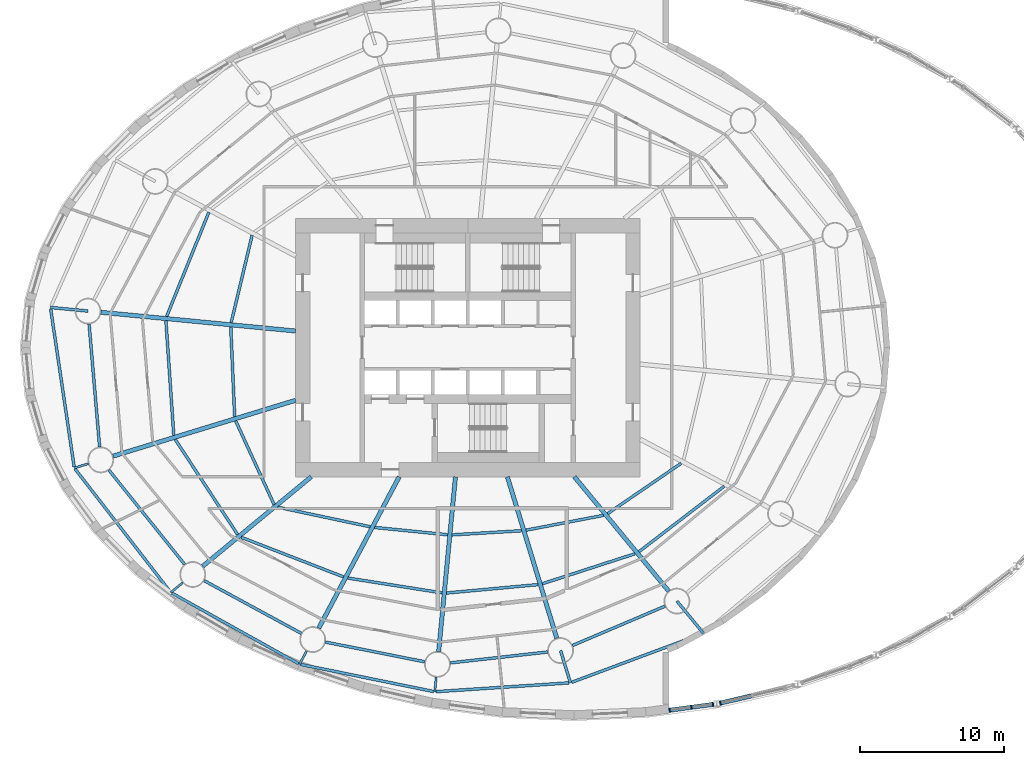
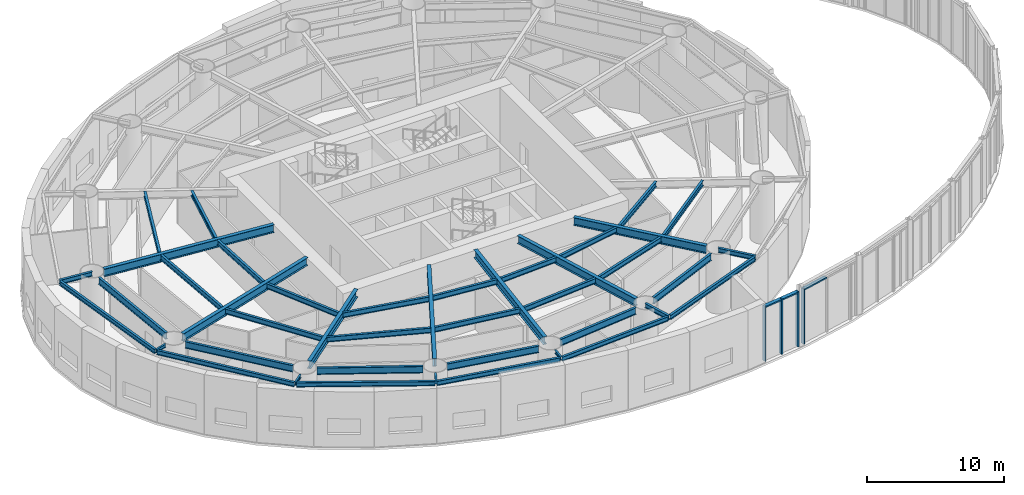
# One storey, part 4 of 19: 42 beams, 7 members, 2 elements without a shape of their own.
"""IFC4 building model written with IfcOpenShell, lengths in metres."""

from ifc_helpers import new_model, si_unit, direction, frame, origin, origin_2d, place, context, subcontext, project, spatial, rectangle, i_section, extrude, material, material_profile, profile_set, type_object, element, aggregate, save


model = new_model("IFC4")

# Units and contexts
model_context = context("Model", 3, precision=1e-05, world=origin(), true_north=direction((0.0, 1.0)))
body_context = subcontext(model_context, "Body", "Model", "MODEL_VIEW")
ifc_project = project(units=[si_unit("LENGTHUNIT", "METRE"), si_unit("AREAUNIT", "SQUARE_METRE"), si_unit("VOLUMEUNIT", "CUBIC_METRE"), si_unit("PLANEANGLEUNIT", "RADIAN"), si_unit("MASSUNIT", "GRAM", prefix="KILO")], contexts=[model_context])

# Site, building, storey
site_placement = place(None, origin())
site = spatial("IfcSite", under=ifc_project, at=site_placement, CompositionType="ELEMENT")
building_placement = place(site_placement, origin())
building = spatial("IfcBuilding", under=site, at=building_placement, Name="Vermilion Reach Broadcast Tower", CompositionType="ELEMENT")
storey_placement = place(building_placement, frame((0.0, 0.0, 26.0)))
storey = spatial("IfcBuildingStorey", under=building, at=storey_placement, Name="L03", CompositionType="ELEMENT", Elevation=26.0)

# Curtain wall, members
ifc_material_1 = material(Name="Low-e laminated clear glass in aluminium frame", Category="aluminium")
curtain_wall_type = type_object("IfcCurtainWallType", Name="Atrium outer wall curtain wall", PredefinedType="NOTDEFINED", material=ifc_material_1)
placement = place(storey_placement, origin())
curtain_wall_1 = element("IfcCurtainWall", 1, at=placement, inside=storey, type_object=curtain_wall_type, Name="Atrium wall L03 01", PredefinedType="NOTDEFINED")
ifc_material_2 = material(Name="Anodised aluminium", Category="aluminium")
ifc_material_profile_1 = material_profile(ifc_material_2, rectangle(XDim=0.300048828125, YDim=0.10009765625, at=origin_2d()), Name="Atrium outer wall mullion 100 x 300")
ifc_profile_set_1 = profile_set([ifc_material_profile_1], Name="Anodised aluminium")
member_type_1 = type_object("IfcMemberType", Name="Atrium outer wall mullion 100 x 300", PredefinedType="MULLION", material=ifc_profile_set_1)
member_1_placement = place(storey_placement, frame((8.062744140625, -25.257568359375, 0.0), z_axis=(0.0, 0.0, 1.0), x_axis=(-0.132793713723, 0.991143697753, 0.0)))
member_1 = element("IfcMember", 2, at=member_1_placement, type_object=member_type_1, Name="Atrium wall mullion L03 01.1", PredefinedType="MULLION", context=body_context, shape_type="SweptSolid", body=[
    extrude(rectangle(XDim=0.300048828125, YDim=0.10009765625, at=origin_2d()), origin(), (0.0, 0.0, 1.0), 4.909912109375),
])
member_2_placement = place(storey_placement, frame((9.569091796875, -25.055908203125, 0.0), z_axis=(0.0, 0.0, 1.0), x_axis=(-0.132793713723, 0.991143697753, 0.0)))
member_2 = element("IfcMember", 3, at=member_2_placement, type_object=member_type_1, Name="Atrium wall mullion L03 01.2", PredefinedType="MULLION", context=body_context, shape_type="SweptSolid", body=[
    extrude(rectangle(XDim=0.300048828125, YDim=0.10009765625, at=origin_2d()), origin(), (0.0, 0.0, 1.0), 4.909912109375),
])
member_3_placement = place(storey_placement, frame((11.075439453125, -24.85400390625, 0.0), z_axis=(0.0, 0.0, 1.0), x_axis=(-0.132793713723, 0.991143697753, 0.0)))
member_3 = element("IfcMember", 4, at=member_3_placement, type_object=member_type_1, Name="Atrium wall mullion L03 01.3", PredefinedType="MULLION", context=body_context, shape_type="SweptSolid", body=[
    extrude(rectangle(XDim=0.300048828125, YDim=0.10009765625, at=origin_2d()), origin(), (0.0, 0.0, 1.0), 4.909912109375),
])

# Curtain wall, member
curtain_wall_2 = element("IfcCurtainWall", 5, at=placement, inside=storey, type_object=curtain_wall_type, Name="Atrium wall L03 02", PredefinedType="NOTDEFINED")
member_4_placement = place(storey_placement, frame((11.594482421875, -24.760009765625, 0.0), z_axis=(0.0, 0.0, 1.0), x_axis=(-0.222891523278, 0.974843253478, 0.0)))
member_4 = element("IfcMember", 6, at=member_4_placement, type_object=member_type_1, Name="Atrium wall mullion L03 02.1", PredefinedType="MULLION", context=body_context, shape_type="SweptSolid", body=[
    extrude(rectangle(XDim=0.300048828125, YDim=0.10009765625, at=origin_2d()), origin(), (0.0, 0.0, 1.0), 4.909912109375),
])

# Member
ifc_material_3 = material(Name="Anodised aluminium", Category="aluminium")
ifc_material_profile_2 = material_profile(ifc_material_3, rectangle(XDim=0.300048828125, YDim=0.1201171875, at=origin_2d()), Name="Atrium outer wall transom 300 x 120")
ifc_profile_set_2 = profile_set([ifc_material_profile_2], Name="Anodised aluminium")
member_type_2 = type_object("IfcMemberType", Name="Atrium outer wall transom 300 x 120", PredefinedType="USERDEFINED", material=ifc_profile_set_2)
member_5_placement = place(storey_placement, frame((8.1123046875, -25.2509765625, 4.85009765625), z_axis=(0.991149634463, 0.132749395872, 0.0), x_axis=(-0.132749395872, 0.991149634463, 0.0)))
member_5 = element("IfcMember", 7, at=member_5_placement, type_object=member_type_2, Name="Atrium wall transom L03 01.1.2", ObjectType="TRANSOM", PredefinedType="USERDEFINED", context=body_context, shape_type="SweptSolid", body=[
    extrude(rectangle(XDim=0.300048828125, YDim=0.1201171875, at=origin_2d()), origin(), (0.0, 0.0, 1.0), 1.419677734375),
])

member_6_placement = place(storey_placement, frame((9.61865234375, -25.049072265625, 4.85009765625), z_axis=(0.991149634463, 0.132749395872, 0.0), x_axis=(-0.132749395872, 0.991149634463, 0.0)))
member_6 = element("IfcMember", 8, at=member_6_placement, type_object=member_type_2, Name="Atrium wall transom L03 01.2.2", ObjectType="TRANSOM", PredefinedType="USERDEFINED", context=body_context, shape_type="SweptSolid", body=[
    extrude(rectangle(XDim=0.300048828125, YDim=0.1201171875, at=origin_2d()), origin(), (0.0, 0.0, 1.0), 1.419677734375),
])

aggregate(curtain_wall_1, [member_1, member_2, member_3, member_5, member_6])

member_7_placement = place(storey_placement, frame((11.643310546875, -24.7490234375, 4.85009765625), z_axis=(0.97483071414, 0.222946358504, 0.0), x_axis=(-0.222946358504, 0.97483071414, 0.0)))
member_7 = element("IfcMember", 9, at=member_7_placement, type_object=member_type_2, Name="Atrium wall transom L03 02.1.2", ObjectType="TRANSOM", PredefinedType="USERDEFINED", context=body_context, shape_type="SweptSolid", body=[
    extrude(rectangle(XDim=0.300048828125, YDim=0.1201171875, at=origin_2d()), origin(), (0.0, 0.0, 1.0), 2.181396484375),
])

aggregate(curtain_wall_2, [member_4, member_7])

# Beams
ifc_material_4 = material(Name="Steel S355J2", Category="steel")
ifc_material_profile_3 = material_profile(ifc_material_4, i_section(OverallWidth=0.199951171875, OverallDepth=0.39990234375, WebThickness=0.008056640625, FlangeThickness=0.012939453125, at=origin_2d()), Name="S355J2 HN 400x200x8x13")
ifc_profile_set_3 = profile_set([ifc_material_profile_3], Name="Steel S355J2")
beam_type_1 = type_object("IfcBeamType", Name="EB1 HN 400x200x8x13", PredefinedType="BEAM", material=ifc_profile_set_3)
beam_1_placement = place(storey_placement, frame((-35.061279296875, 2.692626953125, 5.10009765625), z_axis=(0.147029010253, -0.98913218032, 0.0), x_axis=(0.98913218032, 0.147029010253, 0.0)))
element("IfcBeam", 10, at=beam_1_placement, inside=storey, type_object=beam_type_1, Name="Edge beam EB1-08", PredefinedType="BEAM", context=body_context, shape_type="SweptSolid", body=[
    extrude(i_section(OverallWidth=0.199951171875, OverallDepth=0.39990234375, WebThickness=0.008056640625, FlangeThickness=0.012939453125, at=origin_2d()), origin(), (0.0, 0.0, 1.0), 11.125244140625),
])
beam_2_placement = place(storey_placement, frame((-33.365234375, -8.449951171875, 5.10009765625), z_axis=(0.612374307057, -0.790567965488, 0.0), x_axis=(0.790567965488, 0.612374307057, 0.0)))
element("IfcBeam", 11, at=beam_2_placement, inside=storey, type_object=beam_type_1, Name="Edge beam EB1-09", PredefinedType="BEAM", context=body_context, shape_type="SweptSolid", body=[
    extrude(i_section(OverallWidth=0.199951171875, OverallDepth=0.39990234375, WebThickness=0.008056640625, FlangeThickness=0.012939453125, at=origin_2d()), origin(), (0.0, 0.0, 1.0), 10.821044921875),
])
beam_3_placement = place(storey_placement, frame((-26.62255859375, -17.10302734375, 5.10009765625), z_axis=(0.873686455295, -0.486489442674, 0.0), x_axis=(0.486489442674, 0.873686455295, 0.0)))
element("IfcBeam", 12, at=beam_3_placement, inside=storey, type_object=beam_type_1, Name="Edge beam EB1-10", PredefinedType="BEAM", context=body_context, shape_type="SweptSolid", body=[
    extrude(i_section(OverallWidth=0.199951171875, OverallDepth=0.39990234375, WebThickness=0.008056640625, FlangeThickness=0.012939453125, at=origin_2d()), origin(), (0.0, 0.0, 1.0), 10.110595703125),
])
beam_4_placement = place(storey_placement, frame((-17.64697265625, -22.07373046875, 5.10009765625), z_axis=(0.979888700242, -0.199544819871, 0.0), x_axis=(0.199544819871, 0.979888700242, 0.0)))
element("IfcBeam", 13, at=beam_4_placement, inside=storey, type_object=beam_type_1, Name="Edge beam EB1-11", PredefinedType="BEAM", context=body_context, shape_type="SweptSolid", body=[
    extrude(i_section(OverallWidth=0.199951171875, OverallDepth=0.39990234375, WebThickness=0.008056640625, FlangeThickness=0.012939453125, at=origin_2d()), origin(), (0.0, 0.0, 1.0), 9.458740234375),
])
beam_5_placement = place(storey_placement, frame((-8.228515625, -23.97119140625, 5.10009765625), z_axis=(0.997825669163, 0.065908527213, 0.0), x_axis=(-0.065908527213, 0.997825669163, 0.0)))
element("IfcBeam", 14, at=beam_5_placement, inside=storey, type_object=beam_type_1, Name="Edge beam EB1-12", PredefinedType="BEAM", context=body_context, shape_type="SweptSolid", body=[
    extrude(i_section(OverallWidth=0.199951171875, OverallDepth=0.39990234375, WebThickness=0.008056640625, FlangeThickness=0.012939453125, at=origin_2d()), origin(), (0.0, 0.0, 1.0), 9.290283203125),
])
beam_6_placement = place(storey_placement, frame((1.23779296875, -23.3173828125, 5.10009765625), z_axis=(0.9372716621, 0.348599815582, 0.0), x_axis=(-0.348599815582, 0.9372716621, 0.0)))
element("IfcBeam", 15, at=beam_6_placement, inside=storey, type_object=beam_type_1, Name="Edge beam EB1-13", PredefinedType="BEAM", context=body_context, shape_type="SweptSolid", body=[
    extrude(i_section(OverallWidth=0.199951171875, OverallDepth=0.39990234375, WebThickness=0.008056640625, FlangeThickness=0.012939453125, at=origin_2d()), origin(), (0.0, 0.0, 1.0), 9.684326171875),
])
ifc_material_5 = material(Name="Steel S355J2", Category="steel")
ifc_material_profile_4 = material_profile(ifc_material_5, i_section(OverallWidth=0.300048828125, OverallDepth=0.699951171875, WebThickness=0.012939453125, FlangeThickness=0.02392578125, at=origin_2d()), Name="S355J2 HN 700x300x13x24")
ifc_profile_set_4 = profile_set([ifc_material_profile_4], Name="Steel S355J2")
beam_type_2 = type_object("IfcBeamType", Name="G1 HN 700x300x13x24", PredefinedType="BEAM", material=ifc_profile_set_4)
beam_7_placement = place(storey_placement, frame((-18.0, 1.1533203125, 4.949951171875), z_axis=(-0.995412178872, 0.095679643363, 0.0), x_axis=(-0.095679643363, -0.995412178872, 0.0)))
element("IfcBeam", 16, at=beam_7_placement, inside=storey, type_object=beam_type_2, Name="Girder G1-08", PredefinedType="BEAM", context=body_context, shape_type="SweptSolid", body=[
    extrude(i_section(OverallWidth=0.300048828125, OverallDepth=0.699951171875, WebThickness=0.012939453125, FlangeThickness=0.02392578125, at=origin_2d()), origin(), (0.0, 0.0, 1.0), 13.630859375),
])
beam_8_placement = place(storey_placement, frame((-18.0, -3.671142578125, 4.949951171875), z_axis=(-0.956255735186, -0.292531996409, 0.0), x_axis=(0.292531996409, -0.956255735186, 0.0)))
element("IfcBeam", 17, at=beam_8_placement, inside=storey, type_object=beam_type_2, Name="Girder G1-09", PredefinedType="BEAM", context=body_context, shape_type="SweptSolid", body=[
    extrude(i_section(OverallWidth=0.300048828125, OverallDepth=0.699951171875, WebThickness=0.012939453125, FlangeThickness=0.02392578125, at=origin_2d()), origin(), (0.0, 0.0, 1.0), 13.29638671875),
])
beam_9_placement = place(storey_placement, frame((-16.9140625, -9.0, 4.949951171875), z_axis=(-0.771514256373, -0.636212034005, 0.0), x_axis=(0.636212034005, -0.771514256373, 0.0)))
element("IfcBeam", 18, at=beam_9_placement, inside=storey, type_object=beam_type_2, Name="Girder G1-10", PredefinedType="BEAM", context=body_context, shape_type="SweptSolid", body=[
    extrude(i_section(OverallWidth=0.300048828125, OverallDepth=0.699951171875, WebThickness=0.012939453125, FlangeThickness=0.02392578125, at=origin_2d()), origin(), (0.0, 0.0, 1.0), 9.796142578125),
])
beam_10_placement = place(storey_placement, frame((-10.783447265625, -9.0, 4.949951171875), z_axis=(-0.469312182262, -0.883032318537, 0.0), x_axis=(0.883032318537, -0.469312182262, 0.0)))
element("IfcBeam", 19, at=beam_10_placement, inside=storey, type_object=beam_type_2, Name="Girder G1-11", PredefinedType="BEAM", context=body_context, shape_type="SweptSolid", body=[
    extrude(i_section(OverallWidth=0.300048828125, OverallDepth=0.699951171875, WebThickness=0.012939453125, FlangeThickness=0.02392578125, at=origin_2d()), origin(), (0.0, 0.0, 1.0), 11.94091796875),
])
beam_11_placement = place(storey_placement, frame((-6.864990234375, -9.0, 4.949951171875), z_axis=(-0.09566673912, -0.995413419151, 0.0), x_axis=(0.995413419151, -0.09566673912, 0.0)))
element("IfcBeam", 20, at=beam_11_placement, inside=storey, type_object=beam_type_2, Name="Girder G1-12", PredefinedType="BEAM", context=body_context, shape_type="SweptSolid", body=[
    extrude(i_section(OverallWidth=0.300048828125, OverallDepth=0.699951171875, WebThickness=0.012939453125, FlangeThickness=0.02392578125, at=origin_2d()), origin(), (0.0, 0.0, 1.0), 12.22412109375),
])
beam_12_placement = place(storey_placement, frame((-3.246826171875, -9.0, 4.949951171875), z_axis=(0.292542302886, -0.95625258223, 0.0), x_axis=(0.95625258223, 0.292542302886, 0.0)))
element("IfcBeam", 21, at=beam_12_placement, inside=storey, type_object=beam_type_2, Name="Girder G1-13", PredefinedType="BEAM", context=body_context, shape_type="SweptSolid", body=[
    extrude(i_section(OverallWidth=0.300048828125, OverallDepth=0.699951171875, WebThickness=0.012939453125, FlangeThickness=0.02392578125, at=origin_2d()), origin(), (0.0, 0.0, 1.0), 11.76220703125),
])
beam_13_placement = place(storey_placement, frame((1.421630859375, -9.0, 4.949951171875), z_axis=(0.636215165107, -0.77151167437, 0.0), x_axis=(0.77151167437, 0.636215165107, 0.0)))
element("IfcBeam", 22, at=beam_13_placement, inside=storey, type_object=beam_type_2, Name="Girder G1-14", PredefinedType="BEAM", context=body_context, shape_type="SweptSolid", body=[
    extrude(i_section(OverallWidth=0.300048828125, OverallDepth=0.699951171875, WebThickness=0.012939453125, FlangeThickness=0.02392578125, at=origin_2d()), origin(), (0.0, 0.0, 1.0), 10.3251953125),
])
ifc_material_6 = material(Name="Steel S355J2", Category="steel")
ifc_material_profile_5 = material_profile(ifc_material_6, i_section(OverallWidth=0.199951171875, OverallDepth=0.39990234375, WebThickness=0.008056640625, FlangeThickness=0.012939453125, at=origin_2d()), Name="S355J2 HN 400x200x8x13")
ifc_profile_set_5 = profile_set([ifc_material_profile_5], Name="Steel S355J2")
beam_type_3 = type_object("IfcBeamType", Name="GC1 HN 400x200x8x13", PredefinedType="BEAM", material=ifc_profile_set_5)
beam_14_placement = place(storey_placement, frame((-32.464111328125, 2.54345703125, 5.10009765625), z_axis=(-0.995407665441, 0.095726587639, 0.0), x_axis=(-0.095726587639, -0.995407665441, 0.0)))
element("IfcBeam", 23, at=beam_14_placement, inside=storey, type_object=beam_type_3, Name="Cantilever girder GC1-08", PredefinedType="BEAM", context=body_context, shape_type="SweptSolid", body=[
    extrude(i_section(OverallWidth=0.199951171875, OverallDepth=0.39990234375, WebThickness=0.008056640625, FlangeThickness=0.012939453125, at=origin_2d()), origin(), (0.0, 0.0, 1.0), 2.624267578125),
])
beam_15_placement = place(storey_placement, frame((0.45751953125, -21.108154296875, 5.10009765625), z_axis=(0.292535678809, -0.956254608681, 0.0), x_axis=(0.956254608681, 0.292535678809, 0.0)))
element("IfcBeam", 24, at=beam_15_placement, inside=storey, type_object=beam_type_3, Name="Cantilever girder GC1-13", PredefinedType="BEAM", context=body_context, shape_type="SweptSolid", body=[
    extrude(i_section(OverallWidth=0.199951171875, OverallDepth=0.39990234375, WebThickness=0.008056640625, FlangeThickness=0.012939453125, at=origin_2d()), origin(), (0.0, 0.0, 1.0), 2.346923828125),
])
beam_16_placement = place(storey_placement, frame((8.563232421875, -17.660400390625, 5.10009765625), z_axis=(0.636213137876, -0.771513346089, 0.0), x_axis=(0.771513346089, 0.636213137876, 0.0)))
element("IfcBeam", 25, at=beam_16_placement, inside=storey, type_object=beam_type_3, Name="Cantilever girder GC1-14", PredefinedType="BEAM", context=body_context, shape_type="SweptSolid", body=[
    extrude(i_section(OverallWidth=0.199951171875, OverallDepth=0.39990234375, WebThickness=0.008056640625, FlangeThickness=0.012939453125, at=origin_2d()), origin(), (0.0, 0.0, 1.0), 2.90869140625),
])
ifc_material_7 = material(Name="Steel S355J2", Category="steel")
ifc_material_profile_6 = material_profile(ifc_material_7, i_section(OverallWidth=0.14990234375, OverallDepth=0.300048828125, WebThickness=0.006591796875, FlangeThickness=0.009033203125, at=origin_2d()), Name="S355J2 HN 300x150x6.5x9")
ifc_profile_set_6 = profile_set([ifc_material_profile_6], Name="Steel S355J2")
beam_type_4 = type_object("IfcBeamType", Name="GS1 HN 300x150x6.5x9", PredefinedType="BEAM", material=ifc_profile_set_6)
beam_17_placement = place(storey_placement, frame((-32.43603515625, -8.08740234375, 5.14990234375), z_axis=(-0.956262624381, -0.292509475422, 0.0), x_axis=(0.292509475422, -0.956262624381, 0.0)))
element("IfcBeam", 26, at=beam_17_placement, inside=storey, type_object=beam_type_4, Name="Cantilever stub GS1-09", PredefinedType="BEAM", context=body_context, shape_type="SweptSolid", body=[
    extrude(i_section(OverallWidth=0.14990234375, OverallDepth=0.300048828125, WebThickness=0.006591796875, FlangeThickness=0.009033203125, at=origin_2d()), origin(), (0.0, 0.0, 1.0), 1.023193359375),
])
beam_18_placement = place(storey_placement, frame((-25.860595703125, -16.377685546875, 5.14990234375), z_axis=(-0.771531570629, -0.636191036972, 0.0), x_axis=(0.636191036972, -0.771531570629, 0.0)))
element("IfcBeam", 27, at=beam_18_placement, inside=storey, type_object=beam_type_4, Name="Cantilever stub GS1-10", PredefinedType="BEAM", context=body_context, shape_type="SweptSolid", body=[
    extrude(i_section(OverallWidth=0.14990234375, OverallDepth=0.300048828125, WebThickness=0.006591796875, FlangeThickness=0.009033203125, at=origin_2d()), origin(), (0.0, 0.0, 1.0), 1.07861328125),
])
beam_19_placement = place(storey_placement, frame((-17.232177734375, -21.1337890625, 5.14990234375), z_axis=(-0.469462125124, -0.882952610888, 0.0), x_axis=(0.882952610888, -0.469462125124, 0.0)))
element("IfcBeam", 28, at=beam_19_placement, inside=storey, type_object=beam_type_4, Name="Cantilever stub GS1-11", PredefinedType="BEAM", context=body_context, shape_type="SweptSolid", body=[
    extrude(i_section(OverallWidth=0.14990234375, OverallDepth=0.300048828125, WebThickness=0.006591796875, FlangeThickness=0.009033203125, at=origin_2d()), origin(), (0.0, 0.0, 1.0), 1.046875),
])
beam_20_placement = place(storey_placement, frame((-8.206787109375, -22.959716796875, 5.14990234375), z_axis=(-0.095621304963, -0.99541778467, 0.0), x_axis=(0.99541778467, -0.095621304963, 0.0)))
element("IfcBeam", 29, at=beam_20_placement, inside=storey, type_object=beam_type_4, Name="Cantilever stub GS1-12", PredefinedType="BEAM", context=body_context, shape_type="SweptSolid", body=[
    extrude(i_section(OverallWidth=0.14990234375, OverallDepth=0.300048828125, WebThickness=0.006591796875, FlangeThickness=0.009033203125, at=origin_2d()), origin(), (0.0, 0.0, 1.0), 1.021240234375),
])
ifc_material_8 = material(Name="Steel S355J2", Category="steel")
ifc_material_profile_7 = material_profile(ifc_material_8, i_section(OverallWidth=0.199951171875, OverallDepth=0.60009765625, WebThickness=0.010986328125, FlangeThickness=0.01708984375, at=origin_2d()), Name="S355J2 HN 600x200x11x17")
ifc_profile_set_7 = profile_set([ifc_material_profile_7], Name="Steel S355J2")
beam_type_5 = type_object("IfcBeamType", Name="RB1 HN 600x200x11x17", PredefinedType="BEAM", material=ifc_profile_set_7)
beam_21_placement = place(storey_placement, frame((-32.38720703125, 1.646728515625, 5.0), z_axis=(0.085395508608, -0.996347131832, 0.0), x_axis=(0.996347131832, 0.085395508608, 0.0)))
element("IfcBeam", 30, at=beam_21_placement, inside=storey, type_object=beam_type_5, Name="Ring beam RB1-08", PredefinedType="BEAM", context=body_context, shape_type="SweptSolid", body=[
    extrude(i_section(OverallWidth=0.199951171875, OverallDepth=0.60009765625, WebThickness=0.010986328125, FlangeThickness=0.01708984375, at=origin_2d()), origin(), (0.0, 0.0, 1.0), 8.60546875),
])
beam_22_placement = place(storey_placement, frame((-31.011962890625, -8.52587890625, 5.0), z_axis=(0.626162157191, -0.779692858055, 0.0), x_axis=(0.779692858055, 0.626162157191, 0.0)))
element("IfcBeam", 31, at=beam_22_placement, inside=storey, type_object=beam_type_5, Name="Ring beam RB1-09", PredefinedType="BEAM", context=body_context, shape_type="SweptSolid", body=[
    extrude(i_section(OverallWidth=0.199951171875, OverallDepth=0.60009765625, WebThickness=0.010986328125, FlangeThickness=0.01708984375, at=origin_2d()), origin(), (0.0, 0.0, 1.0), 8.435791015625),
])
beam_23_placement = place(storey_placement, frame((-24.375244140625, -16.234130859375, 5.0), z_axis=(0.878962319551, -0.476891225344, 0.0), x_axis=(0.476891225344, 0.878962319551, 0.0)))
element("IfcBeam", 32, at=beam_23_placement, inside=storey, type_object=beam_type_5, Name="Ring beam RB1-10", PredefinedType="BEAM", context=body_context, shape_type="SweptSolid", body=[
    extrude(i_section(OverallWidth=0.199951171875, OverallDepth=0.60009765625, WebThickness=0.010986328125, FlangeThickness=0.01708984375, at=origin_2d()), origin(), (0.0, 0.0, 1.0), 7.707275390625),
])
beam_24_placement = place(storey_placement, frame((-15.927001953125, -20.51416015625, 5.0), z_axis=(0.980857717995, -0.194725799651, 0.0), x_axis=(0.194725799651, 0.980857717995, 0.0)))
element("IfcBeam", 33, at=beam_24_placement, inside=storey, type_object=beam_type_5, Name="Ring beam RB1-11", PredefinedType="BEAM", context=body_context, shape_type="SweptSolid", body=[
    extrude(i_section(OverallWidth=0.199951171875, OverallDepth=0.60009765625, WebThickness=0.010986328125, FlangeThickness=0.01708984375, at=origin_2d()), origin(), (0.0, 0.0, 1.0), 7.05859375),
])
beam_25_placement = place(storey_placement, frame((-7.22607421875, -21.964111328125, 5.0), z_axis=(0.993851439324, 0.110721798009, 0.0), x_axis=(-0.110721798009, 0.993851439324, 0.0)))
element("IfcBeam", 34, at=beam_25_placement, inside=storey, type_object=beam_type_5, Name="Ring beam RB1-12", PredefinedType="BEAM", context=body_context, shape_type="SweptSolid", body=[
    extrude(i_section(OverallWidth=0.199951171875, OverallDepth=0.60009765625, WebThickness=0.010986328125, FlangeThickness=0.01708984375, at=origin_2d()), origin(), (0.0, 0.0, 1.0), 6.8310546875),
])
beam_26_placement = place(storey_placement, frame((1.28564453125, -20.755859375, 5.0), z_axis=(0.920220846584, 0.391399531825, 0.0), x_axis=(-0.391399531825, 0.920220846584, 0.0)))
element("IfcBeam", 35, at=beam_26_placement, inside=storey, type_object=beam_type_5, Name="Ring beam RB1-13", PredefinedType="BEAM", context=body_context, shape_type="SweptSolid", body=[
    extrude(i_section(OverallWidth=0.199951171875, OverallDepth=0.60009765625, WebThickness=0.010986328125, FlangeThickness=0.01708984375, at=origin_2d()), origin(), (0.0, 0.0, 1.0), 7.008544921875),
])
ifc_material_9 = material(Name="Steel S355J2", Category="steel")
ifc_material_profile_8 = material_profile(ifc_material_9, i_section(OverallWidth=0.199951171875, OverallDepth=0.449951171875, WebThickness=0.009033203125, FlangeThickness=0.013916015625, at=origin_2d()), Name="S355J2 HN 450x200x9x14")
ifc_profile_set_8 = profile_set([ifc_material_profile_8], Name="Steel S355J2")
beam_type_6 = type_object("IfcBeamType", Name="SB1 HN 450x200x9x14", PredefinedType="BEAM", material=ifc_profile_set_8)
beam_27_placement = place(storey_placement, frame((-21.031005859375, 7.81884765625, 5.074951171875), z_axis=(-0.232844467589, -0.972513986487, 0.0), x_axis=(0.972513986487, -0.232844467589, 0.0)))
element("IfcBeam", 36, at=beam_27_placement, inside=storey, type_object=beam_type_6, Name="Secondary beam SB1-07-1", PredefinedType="BEAM", context=body_context, shape_type="SweptSolid", body=[
    extrude(i_section(OverallWidth=0.199951171875, OverallDepth=0.449951171875, WebThickness=0.009033203125, FlangeThickness=0.013916015625, at=origin_2d()), origin(), (0.0, 0.0, 1.0), 6.25537109375),
])
beam_28_placement = place(storey_placement, frame((-24.046630859375, 9.421630859375, 5.074951171875), z_axis=(-0.375640669938, -0.926765389453, 0.0), x_axis=(0.926765389453, -0.375640669938, 0.0)))
element("IfcBeam", 37, at=beam_28_placement, inside=storey, type_object=beam_type_6, Name="Secondary beam SB1-07-2", PredefinedType="BEAM", context=body_context, shape_type="SweptSolid", body=[
    extrude(i_section(OverallWidth=0.199951171875, OverallDepth=0.449951171875, WebThickness=0.009033203125, FlangeThickness=0.013916015625, at=origin_2d()), origin(), (0.0, 0.0, 1.0), 7.8271484375),
])
beam_29_placement = place(storey_placement, frame((-22.51611328125, 1.436767578125, 5.074951171875), z_axis=(0.043361007512, -0.999059469215, 0.0), x_axis=(0.999059469215, 0.043361007512, 0.0)))
element("IfcBeam", 38, at=beam_29_placement, inside=storey, type_object=beam_type_6, Name="Secondary beam SB1-08-1", PredefinedType="BEAM", context=body_context, shape_type="SweptSolid", body=[
    extrude(i_section(OverallWidth=0.199951171875, OverallDepth=0.449951171875, WebThickness=0.009033203125, FlangeThickness=0.013916015625, at=origin_2d()), origin(), (0.0, 0.0, 1.0), 6.25537109375),
])
beam_30_placement = place(storey_placement, frame((-27.03515625, 1.87109375, 5.074951171875), z_axis=(0.068507801475, -0.997650580683, 0.0), x_axis=(0.997650580683, 0.068507801475, 0.0)))
element("IfcBeam", 39, at=beam_30_placement, inside=storey, type_object=beam_type_6, Name="Secondary beam SB1-08-2", PredefinedType="BEAM", context=body_context, shape_type="SweptSolid", body=[
    extrude(i_section(OverallWidth=0.199951171875, OverallDepth=0.449951171875, WebThickness=0.009033203125, FlangeThickness=0.013916015625, at=origin_2d()), origin(), (0.0, 0.0, 1.0), 8.00048828125),
])
beam_31_placement = place(storey_placement, frame((-22.175048828125, -5.105224609375, 5.074951171875), z_axis=(0.417211452529, -0.908809443106, 0.0), x_axis=(0.908809443106, 0.417211452529, 0.0)))
element("IfcBeam", 40, at=beam_31_placement, inside=storey, type_object=beam_type_6, Name="Secondary beam SB1-09-1", PredefinedType="BEAM", context=body_context, shape_type="SweptSolid", body=[
    extrude(i_section(OverallWidth=0.199951171875, OverallDepth=0.449951171875, WebThickness=0.009033203125, FlangeThickness=0.013916015625, at=origin_2d()), origin(), (0.0, 0.0, 1.0), 6.41650390625),
])
beam_32_placement = place(storey_placement, frame((-26.390625, -6.394775390625, 5.074951171875), z_axis=(0.548800909102, -0.835953086105, 0.0), x_axis=(0.835953086105, 0.548800909102, 0.0)))
element("IfcBeam", 41, at=beam_32_placement, inside=storey, type_object=beam_type_6, Name="Secondary beam SB1-09-2", PredefinedType="BEAM", context=body_context, shape_type="SweptSolid", body=[
    extrude(i_section(OverallWidth=0.199951171875, OverallDepth=0.449951171875, WebThickness=0.009033203125, FlangeThickness=0.013916015625, at=origin_2d()), origin(), (0.0, 0.0, 1.0), 7.935791015625),
])
beam_33_placement = place(storey_placement, frame((-19.24560546875, -11.1171875, 5.074951171875), z_axis=(0.978270372412, -0.207333254596, 0.0), x_axis=(0.207333254596, 0.978270372412, 0.0)))
element("IfcBeam", 42, at=beam_33_placement, inside=storey, type_object=beam_type_6, Name="Secondary beam SB1-10-1", PredefinedType="BEAM", context=body_context, shape_type="SweptSolid", body=[
    extrude(i_section(OverallWidth=0.199951171875, OverallDepth=0.449951171875, WebThickness=0.009033203125, FlangeThickness=0.013916015625, at=origin_2d()), origin(), (0.0, 0.0, 1.0), 6.584716796875),
])
beam_34_placement = place(storey_placement, frame((-21.7919921875, -13.217041015625, 5.074951171875), z_axis=(0.932680743753, -0.360702966765, 0.0), x_axis=(0.360702966765, 0.932680743753, 0.0)))
element("IfcBeam", 43, at=beam_34_placement, inside=storey, type_object=beam_type_6, Name="Secondary beam SB1-10-2", PredefinedType="BEAM", context=body_context, shape_type="SweptSolid", body=[
    extrude(i_section(OverallWidth=0.199951171875, OverallDepth=0.449951171875, WebThickness=0.009033203125, FlangeThickness=0.013916015625, at=origin_2d()), origin(), (0.0, 0.0, 1.0), 7.646240234375),
])
beam_35_placement = place(storey_placement, frame((-12.490234375, -12.531005859375, 5.074951171875), z_axis=(0.995010199331, -0.099773259079, 0.0), x_axis=(0.099773259079, 0.995010199331, 0.0)))
element("IfcBeam", 44, at=beam_35_placement, inside=storey, type_object=beam_type_6, Name="Secondary beam SB1-11-1", PredefinedType="BEAM", context=body_context, shape_type="SweptSolid", body=[
    extrude(i_section(OverallWidth=0.199951171875, OverallDepth=0.449951171875, WebThickness=0.009033203125, FlangeThickness=0.013916015625, at=origin_2d()), origin(), (0.0, 0.0, 1.0), 5.111572265625),
])
beam_36_placement = place(storey_placement, frame((-14.36279296875, -16.05419921875, 5.074951171875), z_axis=(0.987829548379, -0.155540294938, 0.0), x_axis=(0.155540294938, 0.987829548379, 0.0)))
element("IfcBeam", 45, at=beam_36_placement, inside=storey, type_object=beam_type_6, Name="Secondary beam SB1-11-2", PredefinedType="BEAM", context=body_context, shape_type="SweptSolid", body=[
    extrude(i_section(OverallWidth=0.199951171875, OverallDepth=0.449951171875, WebThickness=0.009033203125, FlangeThickness=0.013916015625, at=origin_2d()), origin(), (0.0, 0.0, 1.0), 6.650634765625),
])
beam_37_placement = place(storey_placement, frame((-7.103271484375, -13.046875, 5.074951171875), z_axis=(0.99823410974, 0.059402543307, 0.0), x_axis=(-0.059402543307, 0.99823410974, 0.0)))
element("IfcBeam", 46, at=beam_37_placement, inside=storey, type_object=beam_type_6, Name="Secondary beam SB1-12-1", PredefinedType="BEAM", context=body_context, shape_type="SweptSolid", body=[
    extrude(i_section(OverallWidth=0.199951171875, OverallDepth=0.449951171875, WebThickness=0.009033203125, FlangeThickness=0.013916015625, at=origin_2d()), origin(), (0.0, 0.0, 1.0), 4.85791015625),
])
beam_38_placement = place(storey_placement, frame((-7.49267578125, -17.09814453125, 5.074951171875), z_axis=(0.995818616382, 0.091352521952, 0.0), x_axis=(-0.091352521952, 0.995818616382, 0.0)))
element("IfcBeam", 47, at=beam_38_placement, inside=storey, type_object=beam_type_6, Name="Secondary beam SB1-12-2", PredefinedType="BEAM", context=body_context, shape_type="SweptSolid", body=[
    extrude(i_section(OverallWidth=0.199951171875, OverallDepth=0.449951171875, WebThickness=0.009033203125, FlangeThickness=0.013916015625, at=origin_2d()), origin(), (0.0, 0.0, 1.0), 6.4140625),
])
beam_39_placement = place(storey_placement, frame((-1.95166015625, -12.720703125, 5.074951171875), z_axis=(0.982151348822, 0.188092339045, 0.0), x_axis=(-0.188092339045, 0.982151348822, 0.0)))
element("IfcBeam", 48, at=beam_39_placement, inside=storey, type_object=beam_type_6, Name="Secondary beam SB1-13-1", PredefinedType="BEAM", context=body_context, shape_type="SweptSolid", body=[
    extrude(i_section(OverallWidth=0.199951171875, OverallDepth=0.449951171875, WebThickness=0.009033203125, FlangeThickness=0.013916015625, at=origin_2d()), origin(), (0.0, 0.0, 1.0), 5.4931640625),
])
beam_40_placement = place(storey_placement, frame((-0.81005859375, -16.4521484375, 5.074951171875), z_axis=(0.951332300844, 0.308166924523, 0.0), x_axis=(-0.308166924523, 0.951332300844, 0.0)))
element("IfcBeam", 49, at=beam_40_placement, inside=storey, type_object=beam_type_6, Name="Secondary beam SB1-13-2", PredefinedType="BEAM", context=body_context, shape_type="SweptSolid", body=[
    extrude(i_section(OverallWidth=0.199951171875, OverallDepth=0.449951171875, WebThickness=0.009033203125, FlangeThickness=0.013916015625, at=origin_2d()), origin(), (0.0, 0.0, 1.0), 6.787841796875),
])
beam_41_placement = place(storey_placement, frame((3.735595703125, -11.5703125, 5.074951171875), z_axis=(0.825140253447, 0.564927926502, 0.0), x_axis=(-0.564927926502, 0.825140253447, 0.0)))
element("IfcBeam", 50, at=beam_41_placement, inside=storey, type_object=beam_type_6, Name="Secondary beam SB1-14-1", PredefinedType="BEAM", context=body_context, shape_type="SweptSolid", body=[
    extrude(i_section(OverallWidth=0.199951171875, OverallDepth=0.449951171875, WebThickness=0.009033203125, FlangeThickness=0.013916015625, at=origin_2d()), origin(), (0.0, 0.0, 1.0), 6.20458984375),
])
beam_42_placement = place(storey_placement, frame((5.920166015625, -14.21923828125, 5.074951171875), z_axis=(0.793349617473, 0.60876628065, 0.0), x_axis=(-0.60876628065, 0.793349617473, 0.0)))
element("IfcBeam", 51, at=beam_42_placement, inside=storey, type_object=beam_type_6, Name="Secondary beam SB1-14-2", PredefinedType="BEAM", context=body_context, shape_type="SweptSolid", body=[
    extrude(i_section(OverallWidth=0.199951171875, OverallDepth=0.449951171875, WebThickness=0.009033203125, FlangeThickness=0.013916015625, at=origin_2d()), origin(), (0.0, 0.0, 1.0), 7.486328125),
])

save(model, "model.ifc")
